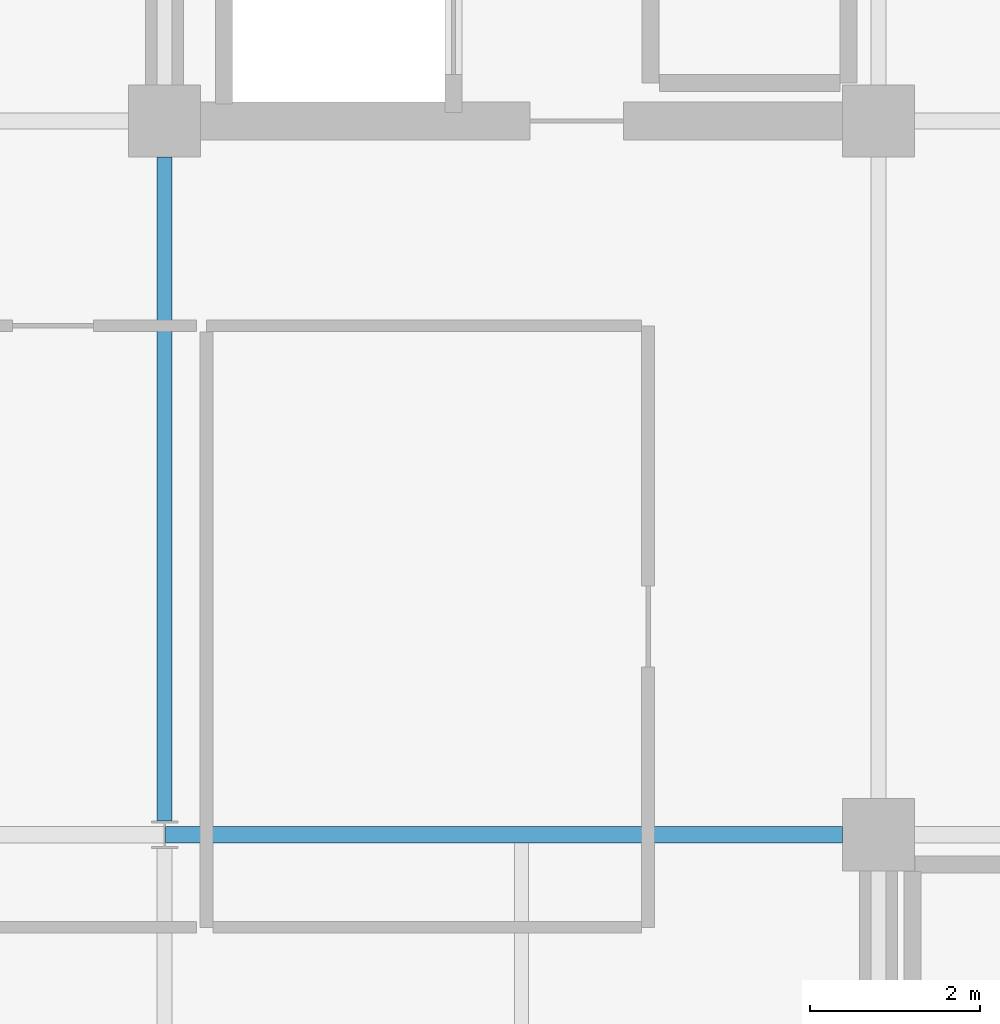
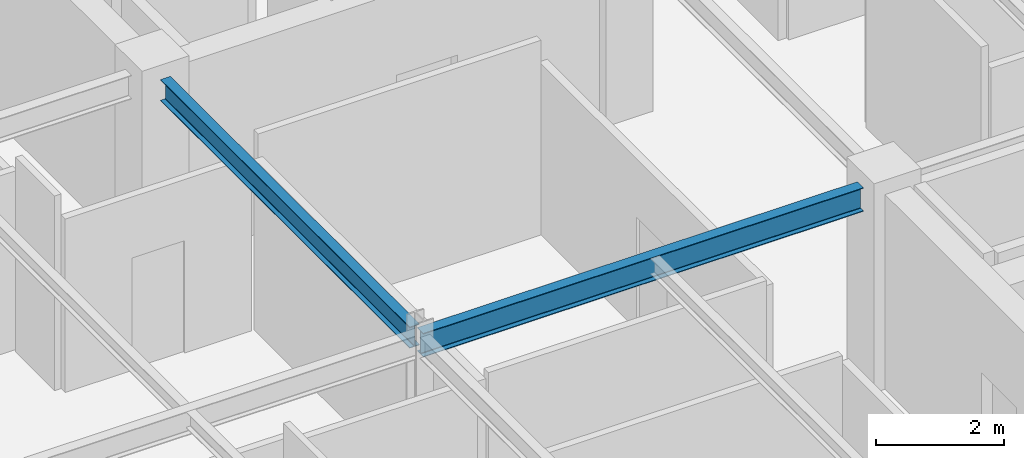
# One storey, part 10 of 25: 2 beams.
"""IFC4 building model written with IfcOpenShell, lengths in metres."""

from ifc_helpers import new_model, si_unit, direction, frame, origin, origin_2d, place, context, subcontext, project, spatial, i_section, extrude, material, material_profile, profile_set, type_object, element, save


model = new_model("IFC4")

# Units and contexts
model_context = context("Model", 3, precision=1e-05, world=origin(), true_north=direction((0.0, 1.0)))
body_context = subcontext(model_context, "Body", "Model", "MODEL_VIEW")
ifc_project = project(units=[si_unit("LENGTHUNIT", "METRE"), si_unit("AREAUNIT", "SQUARE_METRE"), si_unit("VOLUMEUNIT", "CUBIC_METRE"), si_unit("PLANEANGLEUNIT", "RADIAN"), si_unit("MASSUNIT", "GRAM", prefix="KILO")], contexts=[model_context])

# Site, building, storey
site_placement = place(None, origin())
site = spatial("IfcSite", under=ifc_project, at=site_placement, CompositionType="ELEMENT")
building_placement = place(site_placement, origin())
building = spatial("IfcBuilding", under=site, at=building_placement, Name="Nerrivon Quay Data Exchange", CompositionType="ELEMENT")
storey_placement = place(building_placement, frame((0.0, 0.0, 302.199951171875)))
storey = spatial("IfcBuildingStorey", under=building, at=storey_placement, Name="L72", CompositionType="ELEMENT", Elevation=302.199951171875)

# Beams
ifc_material = material(Name="Steel Grade 350", Category="steel")
ifc_material_profile_1 = material_profile(ifc_material, i_section(OverallWidth=0.18994140625, OverallDepth=0.4541015625, WebThickness=0.008544921875, FlangeThickness=0.0126953125, FilletRadius=0.011474609375, at=origin_2d()), Name="460UB67.1")
ifc_profile_set_1 = profile_set([ifc_material_profile_1], Name="Steel Grade 350")
beam_type_1 = type_object("IfcBeamType", Name="BM-G6-460UB67", PredefinedType="BEAM", material=ifc_profile_set_1)
beam_1_placement = place(storey_placement, frame((8.40771484375, 16.800048828125, 3.498046875), z_axis=(1.0, 0.0, 0.0), x_axis=(0.0, 1.0, 0.0)))
element("IfcBeam", 1, at=beam_1_placement, inside=storey, type_object=beam_type_1, Name="L72 EW Girder Y=16.8 (8.4..16.8)", PredefinedType="BEAM", context=body_context, shape_type="SweptSolid", body=[
    extrude(i_section(OverallWidth=0.18994140625, OverallDepth=0.4541015625, WebThickness=0.008544921875, FlangeThickness=0.0126953125, FilletRadius=0.011474609375, at=origin_2d()), origin(), (0.0, 0.0, 1.0), 7.96728515625),
])
ifc_material_profile_2 = material_profile(ifc_material, i_section(OverallWidth=0.177978515625, OverallDepth=0.406005859375, WebThickness=0.0078125, FlangeThickness=0.0126953125, FilletRadius=0.011474609375, at=origin_2d()), Name="410UB59.7")
ifc_profile_set_2 = profile_set([ifc_material_profile_2], Name="Steel Grade 350")
beam_type_2 = type_object("IfcBeamType", Name="BM-J1-410UB60", PredefinedType="JOIST", material=ifc_profile_set_2)
beam_2_placement = place(storey_placement, frame((8.39990234375, 16.96337890625, 3.52197265625), z_axis=(0.0, 1.0, 0.0), x_axis=(-1.0, 0.0, 0.0)))
element("IfcBeam", 2, at=beam_2_placement, inside=storey, type_object=beam_type_2, Name="L72 NS Girder X=8.4 (16.8..25.2)", PredefinedType="JOIST", context=body_context, shape_type="SweptSolid", body=[
    extrude(i_section(OverallWidth=0.177978515625, OverallDepth=0.406005859375, WebThickness=0.0078125, FlangeThickness=0.0126953125, FilletRadius=0.011474609375, at=origin_2d()), origin(), (0.0, 0.0, 1.0), 7.8115234375),
])

save(model, "model.ifc")
